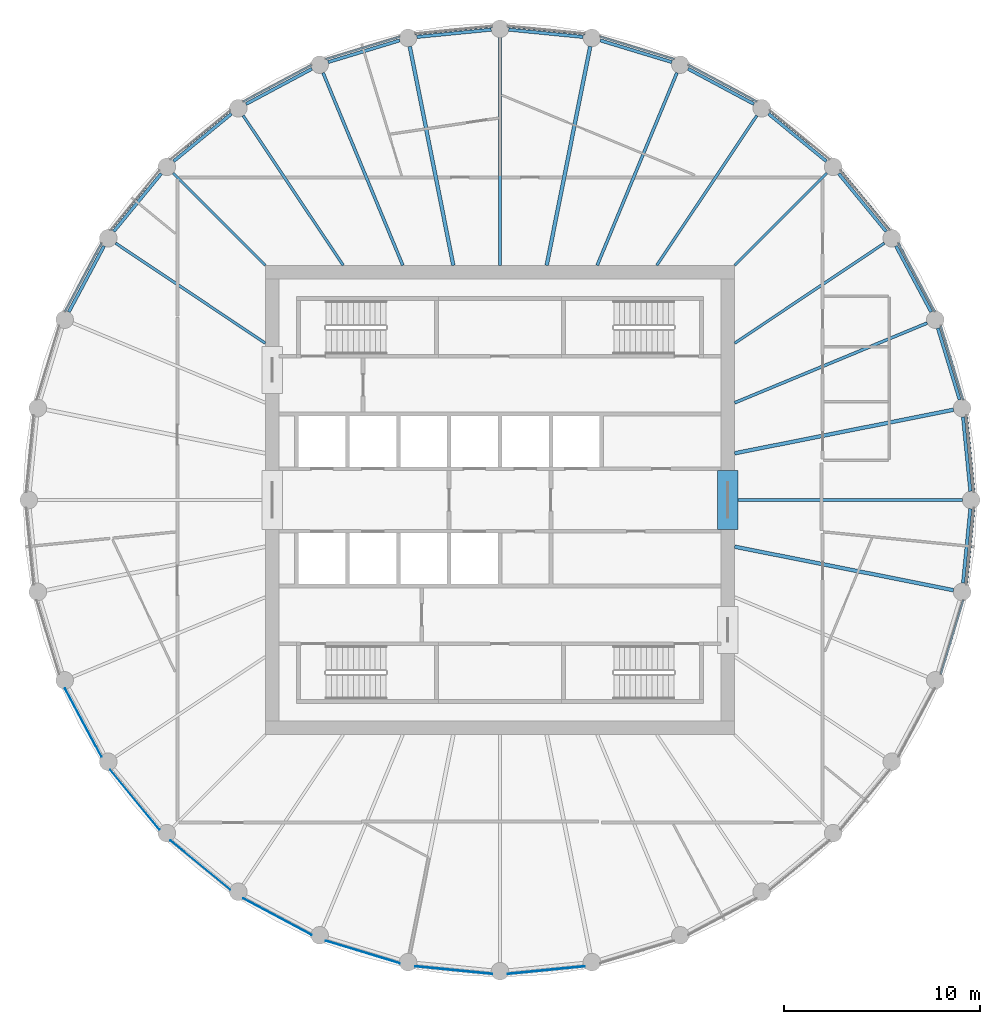
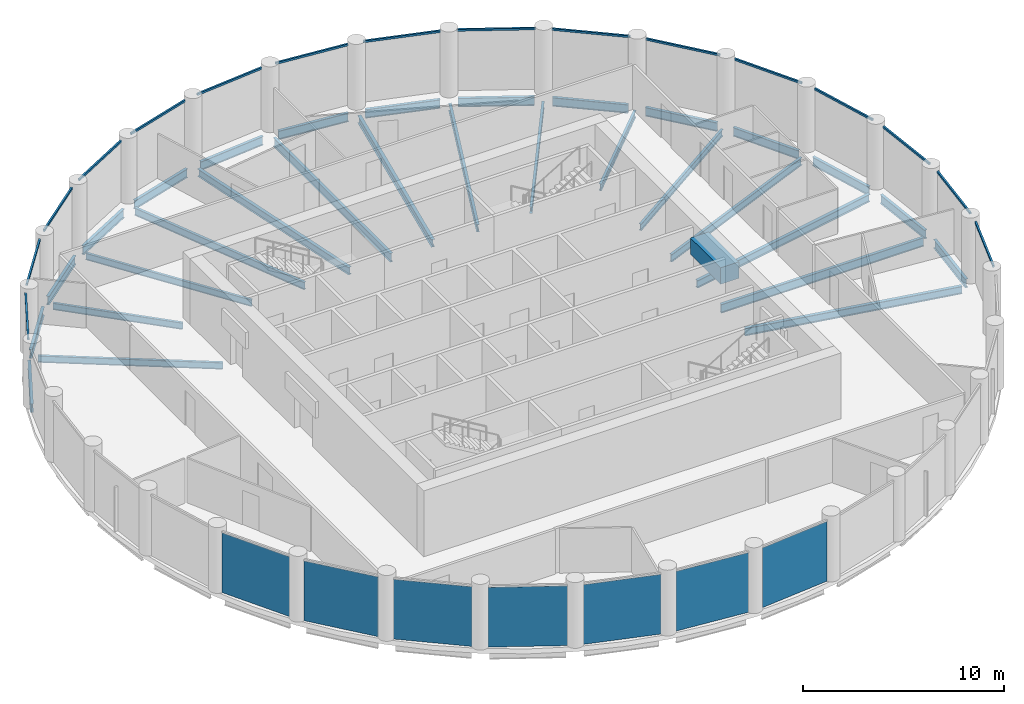
# One storey, part 2 of 7: 31 beams, 16 members, 7 plates, 23 elements without a shape of their own.
"""IFC4 building model written with IfcOpenShell, lengths in metres."""

from ifc_helpers import new_model, si_unit, direction, frame, origin, origin_2d, place, context, subcontext, project, spatial, rectangle, i_section, extrude, material, layer, layer_set, material_profile, profile_set, type_object, element, aggregate, save


model = new_model("IFC4")

# Units and contexts
model_context = context("Model", 3, precision=1e-05, world=origin(), true_north=direction((0.0, 1.0)))
body_context = subcontext(model_context, "Body", "Model", "MODEL_VIEW")
ifc_project = project(units=[si_unit("LENGTHUNIT", "METRE"), si_unit("AREAUNIT", "SQUARE_METRE"), si_unit("VOLUMEUNIT", "CUBIC_METRE"), si_unit("PLANEANGLEUNIT", "RADIAN"), si_unit("MASSUNIT", "GRAM", prefix="KILO")], contexts=[model_context])

# Site, building, storey
site_placement = place(None, origin())
site = spatial("IfcSite", under=ifc_project, at=site_placement, CompositionType="ELEMENT")
building_placement = place(site_placement, origin())
building = spatial("IfcBuilding", under=site, at=building_placement, Name="Corvane Civic Tower", CompositionType="ELEMENT")
storey_placement = place(building_placement, frame((0.0, 0.0, 283.0)))
storey = spatial("IfcBuildingStorey", under=building, at=storey_placement, Name="L67", CompositionType="ELEMENT", Elevation=283.0)

# Beams
ifc_material_1 = material(Name="Concrete C40/50", Category="concrete")
ifc_material_profile_1 = material_profile(ifc_material_1, rectangle(XDim=1.050048828125, YDim=1.0, at=origin_2d()), Name="COUPLING BEAM 1050X1000")
ifc_profile_set_1 = profile_set([ifc_material_profile_1], Name="Concrete C40/50")
beam_type_1 = type_object("IfcBeamType", Name="COUPLING BEAM COUPLING BEAM 1050X1000", PredefinedType="BEAM", material=ifc_profile_set_1)
beam_1_placement = place(storey_placement, frame((11.64990234375, -1.5, 2.60009765625), z_axis=(0.0, 1.0, 0.0), x_axis=(-1.0, 0.0, 0.0)))
element("IfcBeam", 1, at=beam_1_placement, inside=storey, type_object=beam_type_1, Name="BM-L67-cpl-CW-LE", PredefinedType="BEAM", context=body_context, shape_type="SweptSolid", body=[
    extrude(rectangle(XDim=1.050048828125, YDim=1.0, at=origin_2d()), origin(), (0.0, 0.0, 1.0), 3.0),
])
ifc_material_2 = material(Name="Steel ASTM A992 Gr 50", Category="steel")
ifc_material_profile_2 = material_profile(ifc_material_2, i_section(OverallWidth=0.165771484375, OverallDepth=0.5283203125, WebThickness=0.009765625, FlangeThickness=0.013671875, at=origin_2d()), Name="W21X50")
ifc_profile_set_2 = profile_set([ifc_material_profile_2], Name="Steel ASTM A992 Gr 50")
beam_type_2 = type_object("IfcBeamType", Name="EDGE BEAM W21X50", PredefinedType="BEAM", material=ifc_profile_set_2)
for number, where, z_axis, x_axis, name in (
    (2, (0.44775390625, 24.055908203125, -0.564208984375), (0.995187721162, -0.097986732007, 0.0), (0.097986732007, 0.995187721162, 0.0), "BM-L67-E01"),
    (3, (5.13232421875, 23.50634765625, -0.564208984375), (0.95692555902, -0.290333385085, 0.0), (0.290333385085, 0.95692555902, 0.0), "BM-L67-E02"),
):
    element("IfcBeam", number, at=place(storey_placement, frame(where, z_axis=z_axis, x_axis=x_axis)), inside=storey, type_object=beam_type_2, Name=name, PredefinedType="BEAM", context=body_context, shape_type="SweptSolid", body=[
        extrude(i_section(OverallWidth=0.165771484375, OverallDepth=0.5283203125, WebThickness=0.009765625, FlangeThickness=0.013671875, at=origin_2d()), origin(), (0.0, 0.0, 1.0), 3.824462890625),
    ])
beam_2_placement = place(storey_placement, frame((9.61962890625, 22.05322265625, -0.564208984375), z_axis=(0.881914279413, -0.471409804487, 0.0), x_axis=(0.471409804487, 0.881914279413, 0.0)))
element("IfcBeam", 4, at=beam_2_placement, inside=storey, type_object=beam_type_2, Name="BM-L67-E03", PredefinedType="BEAM", context=body_context, shape_type="SweptSolid", body=[
    extrude(i_section(OverallWidth=0.165771484375, OverallDepth=0.5283203125, WebThickness=0.009765625, FlangeThickness=0.013671875, at=origin_2d()), origin(), (0.0, 0.0, 1.0), 3.82421875),
])
for number, where, z_axis, x_axis, name in (
    (5, (13.737060546875, 19.7529296875, -0.564208984375), (0.772997914867, -0.634408562057, 0.0), (0.634408562057, 0.772997914867, 0.0), "BM-L67-E04"),
    (6, (17.32666015625, 16.693359375, -0.564208984375), (0.634408562057, -0.772997914867, 0.0), (0.772997914867, 0.634408562057, 0.0), "BM-L67-E05"),
):
    element("IfcBeam", number, at=place(storey_placement, frame(where, z_axis=z_axis, x_axis=x_axis)), inside=storey, type_object=beam_type_2, Name=name, PredefinedType="BEAM", context=body_context, shape_type="SweptSolid", body=[
        extrude(i_section(OverallWidth=0.165771484375, OverallDepth=0.5283203125, WebThickness=0.009765625, FlangeThickness=0.013671875, at=origin_2d()), origin(), (0.0, 0.0, 1.0), 3.824462890625),
    ])
beam_3_placement = place(storey_placement, frame((20.25048828125, 12.9921875, -0.564208984375), z_axis=(0.471409804487, -0.881914279413, 0.0), x_axis=(0.881914279413, 0.471409804487, 0.0)))
element("IfcBeam", 7, at=beam_3_placement, inside=storey, type_object=beam_type_2, Name="BM-L67-E06", PredefinedType="BEAM", context=body_context, shape_type="SweptSolid", body=[
    extrude(i_section(OverallWidth=0.165771484375, OverallDepth=0.5283203125, WebThickness=0.009765625, FlangeThickness=0.013671875, at=origin_2d()), origin(), (0.0, 0.0, 1.0), 3.82421875),
])
for number, where, z_axis, x_axis, name in (
    (8, (22.39599609375, 8.7919921875, -0.564208984375), (0.290333385085, -0.95692555902, 0.0), (0.95692555902, 0.290333385085, 0.0), "BM-L67-E07"),
    (9, (23.68115234375, 4.25390625, -0.564208984375), (0.097986732007, -0.995187721162, 0.0), (0.995187721162, 0.097986732007, 0.0), "BM-L67-E08"),
    (10, (24.055908203125, -0.44775390625, -0.564208984375), (-0.097986732007, -0.995187721162, 0.0), (0.995187721162, -0.097986732007, 0.0), "BM-L67-E09"),
):
    element("IfcBeam", number, at=place(storey_placement, frame(where, z_axis=z_axis, x_axis=x_axis)), inside=storey, type_object=beam_type_2, Name=name, PredefinedType="BEAM", context=body_context, shape_type="SweptSolid", body=[
        extrude(i_section(OverallWidth=0.165771484375, OverallDepth=0.5283203125, WebThickness=0.009765625, FlangeThickness=0.013671875, at=origin_2d()), origin(), (0.0, 0.0, 1.0), 3.824462890625),
    ])
beam_4_placement = place(storey_placement, frame((-22.05322265625, 9.61962890625, -0.564208984375), z_axis=(0.471409804487, 0.881914279413, 0.0), x_axis=(-0.881914279413, 0.471409804487, 0.0)))
element("IfcBeam", 11, at=beam_4_placement, inside=storey, type_object=beam_type_2, Name="BM-L67-E27", PredefinedType="BEAM", context=body_context, shape_type="SweptSolid", body=[
    extrude(i_section(OverallWidth=0.165771484375, OverallDepth=0.5283203125, WebThickness=0.009765625, FlangeThickness=0.013671875, at=origin_2d()), origin(), (0.0, 0.0, 1.0), 3.82421875),
])
for number, where, z_axis, x_axis, name in (
    (12, (-19.7529296875, 13.737060546875, -0.564208984375), (0.634408562057, 0.772997914867, 0.0), (-0.772997914867, 0.634408562057, 0.0), "BM-L67-E28"),
    (13, (-16.693359375, 17.32666015625, -0.564208984375), (0.772997914867, 0.634408562057, 0.0), (-0.634408562057, 0.772997914867, 0.0), "BM-L67-E29"),
):
    element("IfcBeam", number, at=place(storey_placement, frame(where, z_axis=z_axis, x_axis=x_axis)), inside=storey, type_object=beam_type_2, Name=name, PredefinedType="BEAM", context=body_context, shape_type="SweptSolid", body=[
        extrude(i_section(OverallWidth=0.165771484375, OverallDepth=0.5283203125, WebThickness=0.009765625, FlangeThickness=0.013671875, at=origin_2d()), origin(), (0.0, 0.0, 1.0), 3.824462890625),
    ])
beam_5_placement = place(storey_placement, frame((-12.9921875, 20.25048828125, -0.564208984375), z_axis=(0.881914279413, 0.471409804487, 0.0), x_axis=(-0.471409804487, 0.881914279413, 0.0)))
element("IfcBeam", 14, at=beam_5_placement, inside=storey, type_object=beam_type_2, Name="BM-L67-E30", PredefinedType="BEAM", context=body_context, shape_type="SweptSolid", body=[
    extrude(i_section(OverallWidth=0.165771484375, OverallDepth=0.5283203125, WebThickness=0.009765625, FlangeThickness=0.013671875, at=origin_2d()), origin(), (0.0, 0.0, 1.0), 3.82421875),
])
for number, where, z_axis, x_axis, name in (
    (15, (-8.7919921875, 22.39599609375, -0.564208984375), (0.95692555902, 0.290333385085, 0.0), (-0.290333385085, 0.95692555902, 0.0), "BM-L67-E31"),
    (16, (-4.25390625, 23.68115234375, -0.564208984375), (0.995187721162, 0.097986732007, 0.0), (-0.097986732007, 0.995187721162, 0.0), "BM-L67-E32"),
):
    element("IfcBeam", number, at=place(storey_placement, frame(where, z_axis=z_axis, x_axis=x_axis)), inside=storey, type_object=beam_type_2, Name=name, PredefinedType="BEAM", context=body_context, shape_type="SweptSolid", body=[
        extrude(i_section(OverallWidth=0.165771484375, OverallDepth=0.5283203125, WebThickness=0.009765625, FlangeThickness=0.013671875, at=origin_2d()), origin(), (0.0, 0.0, 1.0), 3.824462890625),
    ])
ifc_material_3 = material(Name="Steel ASTM A992 Gr 50", Category="steel")
ifc_material_profile_3 = material_profile(ifc_material_3, i_section(OverallWidth=0.140380859375, OverallDepth=0.40380859375, WebThickness=0.007080078125, FlangeThickness=0.01123046875, at=origin_2d()), Name="W16X31")
ifc_profile_set_3 = profile_set([ifc_material_profile_3], Name="Steel ASTM A992 Gr 50")
beam_type_3 = type_object("IfcBeamType", Name="FLOOR GIRDER W16X31", PredefinedType="BEAM", material=ifc_profile_set_3)
beam_6_placement = place(storey_placement, frame((8.01806640625, 12.0, -0.501953125), z_axis=(0.555567816355, 0.831471227061, 0.0), x_axis=(-0.831471227061, 0.555567816355, 0.0)))
element("IfcBeam", 17, at=beam_6_placement, inside=storey, type_object=beam_type_3, Name="BM-L67-G04", PredefinedType="BEAM", context=body_context, shape_type="SweptSolid", body=[
    extrude(i_section(OverallWidth=0.140380859375, OverallDepth=0.40380859375, WebThickness=0.007080078125, FlangeThickness=0.01123046875, at=origin_2d()), origin(), (0.0, 0.0, 1.0), 9.2177734375),
])
beam_7_placement = place(storey_placement, frame((12.0, 12.0, -0.501953125), z_axis=(0.707106781187, 0.707106781187, 0.0), x_axis=(-0.707106781187, 0.707106781187, 0.0)))
element("IfcBeam", 18, at=beam_7_placement, inside=storey, type_object=beam_type_3, Name="BM-L67-G05", PredefinedType="BEAM", context=body_context, shape_type="SweptSolid", body=[
    extrude(i_section(OverallWidth=0.140380859375, OverallDepth=0.40380859375, WebThickness=0.007080078125, FlangeThickness=0.01123046875, at=origin_2d()), origin(), (0.0, 0.0, 1.0), 6.679443359375),
])
for number, where, z_axis, x_axis, name in (
    (19, (12.0, 8.01806640625, -0.501953125), (0.831471227061, 0.555567816355, 0.0), (-0.555567816355, 0.831471227061, 0.0), "BM-L67-G06"),
    (20, (-12.0, 8.01806640625, -0.501953125), (-0.831471227061, 0.555567816355, 0.0), (-0.555567816355, -0.831471227061, 0.0), "BM-L67-G28"),
):
    element("IfcBeam", number, at=place(storey_placement, frame(where, z_axis=z_axis, x_axis=x_axis)), inside=storey, type_object=beam_type_3, Name=name, PredefinedType="BEAM", context=body_context, shape_type="SweptSolid", body=[
        extrude(i_section(OverallWidth=0.140380859375, OverallDepth=0.40380859375, WebThickness=0.007080078125, FlangeThickness=0.01123046875, at=origin_2d()), origin(), (0.0, 0.0, 1.0), 9.2177734375),
    ])
beam_8_placement = place(storey_placement, frame((-12.0, 12.0, -0.501953125), z_axis=(-0.707106781187, 0.707106781187, 0.0), x_axis=(-0.707106781187, -0.707106781187, 0.0)))
element("IfcBeam", 21, at=beam_8_placement, inside=storey, type_object=beam_type_3, Name="BM-L67-G29", PredefinedType="BEAM", context=body_context, shape_type="SweptSolid", body=[
    extrude(i_section(OverallWidth=0.140380859375, OverallDepth=0.40380859375, WebThickness=0.007080078125, FlangeThickness=0.01123046875, at=origin_2d()), origin(), (0.0, 0.0, 1.0), 6.679443359375),
])
beam_9_placement = place(storey_placement, frame((-8.01806640625, 12.0, -0.501953125), z_axis=(-0.555567816355, 0.831471227061, 0.0), x_axis=(-0.831471227061, -0.555567816355, 0.0)))
element("IfcBeam", 22, at=beam_9_placement, inside=storey, type_object=beam_type_3, Name="BM-L67-G30", PredefinedType="BEAM", context=body_context, shape_type="SweptSolid", body=[
    extrude(i_section(OverallWidth=0.140380859375, OverallDepth=0.40380859375, WebThickness=0.007080078125, FlangeThickness=0.01123046875, at=origin_2d()), origin(), (0.0, 0.0, 1.0), 9.2177734375),
])
ifc_material_4 = material(Name="Steel ASTM A992 Gr 50", Category="steel")
ifc_material_profile_4 = material_profile(ifc_material_4, i_section(OverallWidth=0.15283203125, OverallDepth=0.45458984375, WebThickness=0.008056640625, FlangeThickness=0.013427734375, at=origin_2d()), Name="W18X40")
ifc_profile_set_4 = profile_set([ifc_material_profile_4], Name="Steel ASTM A992 Gr 50")
beam_type_4 = type_object("IfcBeamType", Name="FLOOR GIRDER W18X40", PredefinedType="BEAM", material=ifc_profile_set_4)
for number, where, z_axis, x_axis, name in (
    (23, (4.970458984375, 12.0, -0.52734375), (0.382694257331, 0.923875048589, 0.0), (-0.923875048589, 0.382694257331, 0.0), "BM-L67-G03"),
    (24, (12.0, 4.970458984375, -0.52734375), (0.923875048589, 0.382694257331, 0.0), (-0.382694257331, 0.923875048589, 0.0), "BM-L67-G07"),
    (25, (-4.970458984375, 12.0, -0.52734375), (-0.382694257331, 0.923875048589, 0.0), (-0.923875048589, -0.382694257331, 0.0), "BM-L67-G31"),
):
    element("IfcBeam", number, at=place(storey_placement, frame(where, z_axis=z_axis, x_axis=x_axis)), inside=storey, type_object=beam_type_4, Name=name, PredefinedType="BEAM", context=body_context, shape_type="SweptSolid", body=[
        extrude(i_section(OverallWidth=0.15283203125, OverallDepth=0.45458984375, WebThickness=0.008056640625, FlangeThickness=0.013427734375, at=origin_2d()), origin(), (0.0, 0.0, 1.0), 10.661376953125),
    ])
ifc_material_5 = material(Name="Steel ASTM A992 Gr 50", Category="steel")
ifc_material_profile_5 = material_profile(ifc_material_5, i_section(OverallWidth=0.1904296875, OverallDepth=0.457275390625, WebThickness=0.009033203125, FlangeThickness=0.014404296875, at=origin_2d()), Name="W18X50")
ifc_profile_set_5 = profile_set([ifc_material_profile_5], Name="Steel ASTM A992 Gr 50")
beam_type_5 = type_object("IfcBeamType", Name="FLOOR GIRDER W18X50", PredefinedType="BEAM", material=ifc_profile_set_5)
for number, where, z_axis, x_axis, name in (
    (26, (2.386962890625, 12.0, -0.528564453125), (0.195079532402, 0.980787426529, 0.0), (-0.980787426529, 0.195079532402, 0.0), "BM-L67-G02"),
    (27, (12.0, 2.386962890625, -0.528564453125), (0.980787426529, 0.195079532402, 0.0), (-0.195079532402, 0.980787426529, 0.0), "BM-L67-G08"),
    (28, (12.0, -2.386962890625, -0.528564453125), (0.980787426529, -0.195079532402, 0.0), (0.195079532402, 0.980787426529, 0.0), "BM-L67-G10"),
    (29, (-2.386962890625, 12.0, -0.528564453125), (-0.195079532402, 0.980787426529, 0.0), (-0.980787426529, -0.195079532402, 0.0), "BM-L67-G32"),
):
    element("IfcBeam", number, at=place(storey_placement, frame(where, z_axis=z_axis, x_axis=x_axis)), inside=storey, type_object=beam_type_5, Name=name, PredefinedType="BEAM", context=body_context, shape_type="SweptSolid", body=[
        extrude(i_section(OverallWidth=0.1904296875, OverallDepth=0.457275390625, WebThickness=0.009033203125, FlangeThickness=0.014404296875, at=origin_2d()), origin(), (0.0, 0.0, 1.0), 11.414794921875),
    ])
ifc_material_6 = material(Name="Steel ASTM A992 Gr 50", Category="steel")
ifc_material_profile_6 = material_profile(ifc_material_6, i_section(OverallWidth=0.165771484375, OverallDepth=0.5283203125, WebThickness=0.009765625, FlangeThickness=0.013671875, at=origin_2d()), Name="W21X50")
ifc_profile_set_6 = profile_set([ifc_material_profile_6], Name="Steel ASTM A992 Gr 50")
beam_type_6 = type_object("IfcBeamType", Name="FLOOR GIRDER W21X50", PredefinedType="BEAM", material=ifc_profile_set_6)
for number, where, z_axis, x_axis, name in (
    (30, (0.0, 12.0, -0.564208984375), (0.0, 1.0, 0.0), (-1.0, 0.0, 0.0), "BM-L67-G01"),
    (31, (12.0, 0.0, -0.564208984375), (1.0, 0.0, 0.0), (0.0, 1.0, 0.0), "BM-L67-G09"),
):
    element("IfcBeam", number, at=place(storey_placement, frame(where, z_axis=z_axis, x_axis=x_axis)), inside=storey, type_object=beam_type_6, Name=name, PredefinedType="BEAM", context=body_context, shape_type="SweptSolid", body=[
        extrude(i_section(OverallWidth=0.165771484375, OverallDepth=0.5283203125, WebThickness=0.009765625, FlangeThickness=0.013671875, at=origin_2d()), origin(), (0.0, 0.0, 1.0), 11.64990234375),
    ])

# Curtain wall, member
ifc_material_7 = material(Name="Anodised aluminium bronze", Category="aluminium")
curtain_wall_type = type_object("IfcCurtainWallType", Name="TOWER CW-T3 STICK CURTAIN WALL", PredefinedType="NOTDEFINED", material=ifc_material_7)
curtain_wall_1_placement = place(storey_placement, origin())
curtain_wall_1 = element("IfcCurtainWall", 32, at=curtain_wall_1_placement, inside=storey, type_object=curtain_wall_type, Name="Curtain wall CW-T3 L67 bay 01", PredefinedType="NOTDEFINED")
ifc_material_8 = material(Name="Anodised aluminium bronze", Category="aluminium")
ifc_material_profile_7 = material_profile(ifc_material_8, rectangle(XDim=0.10009765625, YDim=0.1201171875, at=origin_2d()), Name="TOWER CW-T3 TRANSOM 100x120")
ifc_profile_set_7 = profile_set([ifc_material_profile_7], Name="Anodised aluminium bronze")
member_type = type_object("IfcMemberType", Name="TOWER CW-T3 TRANSOM 100x120", PredefinedType="USERDEFINED", material=ifc_profile_set_7)
member_1_placement = place(storey_placement, frame((0.3984375, 24.24072265625, 3.68994140625), z_axis=(0.995186866683, -0.097995409999, 0.0), x_axis=(0.097995409999, 0.995186866683, 0.0)))
member_1 = element("IfcMember", 33, at=member_1_placement, type_object=member_type, Name="Transom CW-T3 L67 01.1", ObjectType="TRANSOM", PredefinedType="USERDEFINED", context=body_context, shape_type="SweptSolid", body=[
    extrude(rectangle(XDim=0.10009765625, YDim=0.1201171875, at=origin_2d()), origin(), (0.0, 0.0, 1.0), 3.958740234375),
])
aggregate(curtain_wall_1, [member_1])

curtain_wall_2_placement = place(storey_placement, origin())
curtain_wall_2 = element("IfcCurtainWall", 34, at=curtain_wall_2_placement, inside=storey, type_object=curtain_wall_type, Name="Curtain wall CW-T3 L67 bay 02", PredefinedType="NOTDEFINED")
member_2_placement = place(storey_placement, frame((5.119873046875, 23.697265625, 3.68994140625), z_axis=(0.956946054205, -0.290265825309, 0.0), x_axis=(0.290265825309, 0.956946054205, 0.0)))
member_2 = element("IfcMember", 35, at=member_2_placement, type_object=member_type, Name="Transom CW-T3 L67 02.1", ObjectType="TRANSOM", PredefinedType="USERDEFINED", context=body_context, shape_type="SweptSolid", body=[
    extrude(rectangle(XDim=0.10009765625, YDim=0.1201171875, at=origin_2d()), origin(), (0.0, 0.0, 1.0), 3.958984375),
])
aggregate(curtain_wall_2, [member_2])

curtain_wall_3_placement = place(storey_placement, origin())
curtain_wall_3 = element("IfcCurtainWall", 36, at=curtain_wall_3_placement, inside=storey, type_object=curtain_wall_type, Name="Curtain wall CW-T3 L67 bay 03", PredefinedType="NOTDEFINED")
member_3_placement = place(storey_placement, frame((9.644775390625, 22.2431640625, 3.68994140625), z_axis=(0.881883040816, -0.471468241052, 0.0), x_axis=(0.471468241052, 0.881883040816, 0.0)))
member_3 = element("IfcMember", 37, at=member_3_placement, type_object=member_type, Name="Transom CW-T3 L67 03.1", ObjectType="TRANSOM", PredefinedType="USERDEFINED", context=body_context, shape_type="SweptSolid", body=[
    extrude(rectangle(XDim=0.10009765625, YDim=0.1201171875, at=origin_2d()), origin(), (0.0, 0.0, 1.0), 3.958740234375),
])
aggregate(curtain_wall_3, [member_3])

curtain_wall_4_placement = place(storey_placement, origin())
curtain_wall_4 = element("IfcCurtainWall", 38, at=curtain_wall_4_placement, inside=storey, type_object=curtain_wall_type, Name="Curtain wall CW-T3 L67 bay 04", PredefinedType="NOTDEFINED")
member_4_placement = place(storey_placement, frame((13.798828125, 19.93408203125, 3.68994140625), z_axis=(0.772991943051, -0.634415838373, 0.0), x_axis=(0.634415838373, 0.772991943051, 0.0)))
member_4 = element("IfcMember", 39, at=member_4_placement, type_object=member_type, Name="Transom CW-T3 L67 04.1", ObjectType="TRANSOM", PredefinedType="USERDEFINED", context=body_context, shape_type="SweptSolid", body=[
    extrude(rectangle(XDim=0.10009765625, YDim=0.1201171875, at=origin_2d()), origin(), (0.0, 0.0, 1.0), 3.958740234375),
])
aggregate(curtain_wall_4, [member_4])

curtain_wall_5_placement = place(storey_placement, origin())
curtain_wall_5 = element("IfcCurtainWall", 40, at=curtain_wall_5_placement, inside=storey, type_object=curtain_wall_type, Name="Curtain wall CW-T3 L67 bay 05", PredefinedType="NOTDEFINED")
member_5_placement = place(storey_placement, frame((17.422607421875, 16.85888671875, 3.68994140625), z_axis=(0.634415838373, -0.772991943051, 0.0), x_axis=(0.772991943051, 0.634415838373, 0.0)))
member_5 = element("IfcMember", 41, at=member_5_placement, type_object=member_type, Name="Transom CW-T3 L67 05.1", ObjectType="TRANSOM", PredefinedType="USERDEFINED", context=body_context, shape_type="SweptSolid", body=[
    extrude(rectangle(XDim=0.10009765625, YDim=0.1201171875, at=origin_2d()), origin(), (0.0, 0.0, 1.0), 3.958740234375),
])
aggregate(curtain_wall_5, [member_5])

curtain_wall_6_placement = place(storey_placement, origin())
curtain_wall_6 = element("IfcCurtainWall", 42, at=curtain_wall_6_placement, inside=storey, type_object=curtain_wall_type, Name="Curtain wall CW-T3 L67 bay 06", PredefinedType="NOTDEFINED")
member_6_placement = place(storey_placement, frame((20.376708984375, 13.135986328125, 3.68994140625), z_axis=(0.471468241052, -0.881883040816, 0.0), x_axis=(0.881883040816, 0.471468241052, 0.0)))
member_6 = element("IfcMember", 43, at=member_6_placement, type_object=member_type, Name="Transom CW-T3 L67 06.1", ObjectType="TRANSOM", PredefinedType="USERDEFINED", context=body_context, shape_type="SweptSolid", body=[
    extrude(rectangle(XDim=0.10009765625, YDim=0.1201171875, at=origin_2d()), origin(), (0.0, 0.0, 1.0), 3.958740234375),
])
aggregate(curtain_wall_6, [member_6])

curtain_wall_7_placement = place(storey_placement, origin())
curtain_wall_7 = element("IfcCurtainWall", 44, at=curtain_wall_7_placement, inside=storey, type_object=curtain_wall_type, Name="Curtain wall CW-T3 L67 bay 07", PredefinedType="NOTDEFINED")
member_7_placement = place(storey_placement, frame((22.548095703125, 8.908447265625, 3.68994140625), z_axis=(0.290265825309, -0.956946054205, 0.0), x_axis=(0.956946054205, 0.290265825309, 0.0)))
member_7 = element("IfcMember", 45, at=member_7_placement, type_object=member_type, Name="Transom CW-T3 L67 07.1", ObjectType="TRANSOM", PredefinedType="USERDEFINED", context=body_context, shape_type="SweptSolid", body=[
    extrude(rectangle(XDim=0.10009765625, YDim=0.1201171875, at=origin_2d()), origin(), (0.0, 0.0, 1.0), 3.958984375),
])
aggregate(curtain_wall_7, [member_7])

curtain_wall_8_placement = place(storey_placement, origin())
curtain_wall_8 = element("IfcCurtainWall", 46, at=curtain_wall_8_placement, inside=storey, type_object=curtain_wall_type, Name="Curtain wall CW-T3 L67 bay 08", PredefinedType="NOTDEFINED")
member_8_placement = place(storey_placement, frame((23.852783203125, 4.338134765625, 3.68994140625), z_axis=(0.097995409999, -0.995186866683, 0.0), x_axis=(0.995186866683, 0.097995409999, 0.0)))
member_8 = element("IfcMember", 47, at=member_8_placement, type_object=member_type, Name="Transom CW-T3 L67 08.1", ObjectType="TRANSOM", PredefinedType="USERDEFINED", context=body_context, shape_type="SweptSolid", body=[
    extrude(rectangle(XDim=0.10009765625, YDim=0.1201171875, at=origin_2d()), origin(), (0.0, 0.0, 1.0), 3.958740234375),
])
aggregate(curtain_wall_8, [member_8])

curtain_wall_9_placement = place(storey_placement, origin())
curtain_wall_9 = element("IfcCurtainWall", 48, at=curtain_wall_9_placement, inside=storey, type_object=curtain_wall_type, Name="Curtain wall CW-T3 L67 bay 09", PredefinedType="NOTDEFINED")
member_9_placement = place(storey_placement, frame((24.24072265625, -0.3984375, 3.68994140625), z_axis=(-0.097995409999, -0.995186866683, 0.0), x_axis=(0.995186866683, -0.097995409999, 0.0)))
member_9 = element("IfcMember", 49, at=member_9_placement, type_object=member_type, Name="Transom CW-T3 L67 09.1", ObjectType="TRANSOM", PredefinedType="USERDEFINED", context=body_context, shape_type="SweptSolid", body=[
    extrude(rectangle(XDim=0.10009765625, YDim=0.1201171875, at=origin_2d()), origin(), (0.0, 0.0, 1.0), 3.958740234375),
])
aggregate(curtain_wall_9, [member_9])

curtain_wall_10_placement = place(storey_placement, origin())
curtain_wall_10 = element("IfcCurtainWall", 50, at=curtain_wall_10_placement, inside=storey, type_object=curtain_wall_type, Name="Curtain wall CW-T3 L67 bay 10", PredefinedType="NOTDEFINED")
member_10_placement = place(storey_placement, frame((23.697265625, -5.119873046875, 3.68994140625), z_axis=(-0.290265825309, -0.956946054205, 0.0), x_axis=(0.956946054205, -0.290265825309, 0.0)))
member_10 = element("IfcMember", 51, at=member_10_placement, type_object=member_type, Name="Transom CW-T3 L67 10.1", ObjectType="TRANSOM", PredefinedType="USERDEFINED", context=body_context, shape_type="SweptSolid", body=[
    extrude(rectangle(XDim=0.10009765625, YDim=0.1201171875, at=origin_2d()), origin(), (0.0, 0.0, 1.0), 3.958984375),
])
aggregate(curtain_wall_10, [member_10])

curtain_wall_11_placement = place(storey_placement, origin())
curtain_wall_11 = element("IfcCurtainWall", 52, at=curtain_wall_11_placement, inside=storey, type_object=curtain_wall_type, Name="Curtain wall CW-T3 L67 bay 27", PredefinedType="NOTDEFINED")
member_11_placement = place(storey_placement, frame((-22.2431640625, 9.644775390625, 3.68994140625), z_axis=(0.471468241052, 0.881883040816, 0.0), x_axis=(-0.881883040816, 0.471468241052, 0.0)))
member_11 = element("IfcMember", 53, at=member_11_placement, type_object=member_type, Name="Transom CW-T3 L67 27.1", ObjectType="TRANSOM", PredefinedType="USERDEFINED", context=body_context, shape_type="SweptSolid", body=[
    extrude(rectangle(XDim=0.10009765625, YDim=0.1201171875, at=origin_2d()), origin(), (0.0, 0.0, 1.0), 3.958740234375),
])
aggregate(curtain_wall_11, [member_11])

curtain_wall_12_placement = place(storey_placement, origin())
curtain_wall_12 = element("IfcCurtainWall", 54, at=curtain_wall_12_placement, inside=storey, type_object=curtain_wall_type, Name="Curtain wall CW-T3 L67 bay 28", PredefinedType="NOTDEFINED")
member_12_placement = place(storey_placement, frame((-19.93408203125, 13.798828125, 3.68994140625), z_axis=(0.634415838373, 0.772991943051, 0.0), x_axis=(-0.772991943051, 0.634415838373, 0.0)))
member_12 = element("IfcMember", 55, at=member_12_placement, type_object=member_type, Name="Transom CW-T3 L67 28.1", ObjectType="TRANSOM", PredefinedType="USERDEFINED", context=body_context, shape_type="SweptSolid", body=[
    extrude(rectangle(XDim=0.10009765625, YDim=0.1201171875, at=origin_2d()), origin(), (0.0, 0.0, 1.0), 3.958740234375),
])
aggregate(curtain_wall_12, [member_12])

curtain_wall_13_placement = place(storey_placement, origin())
curtain_wall_13 = element("IfcCurtainWall", 56, at=curtain_wall_13_placement, inside=storey, type_object=curtain_wall_type, Name="Curtain wall CW-T3 L67 bay 29", PredefinedType="NOTDEFINED")
member_13_placement = place(storey_placement, frame((-16.85888671875, 17.422607421875, 3.68994140625), z_axis=(0.772991943051, 0.634415838373, 0.0), x_axis=(-0.634415838373, 0.772991943051, 0.0)))
member_13 = element("IfcMember", 57, at=member_13_placement, type_object=member_type, Name="Transom CW-T3 L67 29.1", ObjectType="TRANSOM", PredefinedType="USERDEFINED", context=body_context, shape_type="SweptSolid", body=[
    extrude(rectangle(XDim=0.10009765625, YDim=0.1201171875, at=origin_2d()), origin(), (0.0, 0.0, 1.0), 3.958740234375),
])
aggregate(curtain_wall_13, [member_13])

curtain_wall_14_placement = place(storey_placement, origin())
curtain_wall_14 = element("IfcCurtainWall", 58, at=curtain_wall_14_placement, inside=storey, type_object=curtain_wall_type, Name="Curtain wall CW-T3 L67 bay 30", PredefinedType="NOTDEFINED")
member_14_placement = place(storey_placement, frame((-13.135986328125, 20.376708984375, 3.68994140625), z_axis=(0.881883040816, 0.471468241052, 0.0), x_axis=(-0.471468241052, 0.881883040816, 0.0)))
member_14 = element("IfcMember", 59, at=member_14_placement, type_object=member_type, Name="Transom CW-T3 L67 30.1", ObjectType="TRANSOM", PredefinedType="USERDEFINED", context=body_context, shape_type="SweptSolid", body=[
    extrude(rectangle(XDim=0.10009765625, YDim=0.1201171875, at=origin_2d()), origin(), (0.0, 0.0, 1.0), 3.958740234375),
])
aggregate(curtain_wall_14, [member_14])

curtain_wall_15_placement = place(storey_placement, origin())
curtain_wall_15 = element("IfcCurtainWall", 60, at=curtain_wall_15_placement, inside=storey, type_object=curtain_wall_type, Name="Curtain wall CW-T3 L67 bay 31", PredefinedType="NOTDEFINED")
member_15_placement = place(storey_placement, frame((-8.908447265625, 22.548095703125, 3.68994140625), z_axis=(0.956946054205, 0.290265825309, 0.0), x_axis=(-0.290265825309, 0.956946054205, 0.0)))
member_15 = element("IfcMember", 61, at=member_15_placement, type_object=member_type, Name="Transom CW-T3 L67 31.1", ObjectType="TRANSOM", PredefinedType="USERDEFINED", context=body_context, shape_type="SweptSolid", body=[
    extrude(rectangle(XDim=0.10009765625, YDim=0.1201171875, at=origin_2d()), origin(), (0.0, 0.0, 1.0), 3.958984375),
])
aggregate(curtain_wall_15, [member_15])

curtain_wall_16_placement = place(storey_placement, origin())
curtain_wall_16 = element("IfcCurtainWall", 62, at=curtain_wall_16_placement, inside=storey, type_object=curtain_wall_type, Name="Curtain wall CW-T3 L67 bay 32", PredefinedType="NOTDEFINED")
member_16_placement = place(storey_placement, frame((-4.338134765625, 23.852783203125, 3.68994140625), z_axis=(0.995186866683, 0.097995409999, 0.0), x_axis=(-0.097995409999, 0.995186866683, 0.0)))
member_16 = element("IfcMember", 63, at=member_16_placement, type_object=member_type, Name="Transom CW-T3 L67 32.1", ObjectType="TRANSOM", PredefinedType="USERDEFINED", context=body_context, shape_type="SweptSolid", body=[
    extrude(rectangle(XDim=0.10009765625, YDim=0.1201171875, at=origin_2d()), origin(), (0.0, 0.0, 1.0), 3.958740234375),
])
aggregate(curtain_wall_16, [member_16])

# Curtain wall, plate
curtain_wall_17_placement = place(storey_placement, origin())
curtain_wall_17 = element("IfcCurtainWall", 64, at=curtain_wall_17_placement, inside=storey, type_object=curtain_wall_type, Name="Curtain wall CW-T3 L67 bay 16", PredefinedType="NOTDEFINED")
ifc_material_9 = material(Name="Tinted glass", Category="glass")
ifc_layer = layer(ifc_material_9, 0.028076171875)
ifc_layer_set = layer_set([ifc_layer], Name="Tinted glass")
plate_type = type_object("IfcPlateType", Name="TOWER CW-T3 PANEL IGU28", PredefinedType="CURTAIN_PANEL", material=ifc_layer_set)
plate_1_placement = place(storey_placement, frame((2.368408203125, -24.046875, 0.0), z_axis=(0.0, 0.0, 1.0), x_axis=(-0.99518437747, -0.098020685775, 0.0)))
plate_1 = element("IfcPlate", 65, at=plate_1_placement, type_object=plate_type, Name="Glass panel CW-T3 L67 16.1", PredefinedType="CURTAIN_PANEL", context=body_context, shape_type="SweptSolid", body=[
    extrude(rectangle(XDim=3.958740234375, YDim=0.028076171875, at=origin_2d()), origin(), (0.0, 0.0, 1.0), 3.6298828125),
])
aggregate(curtain_wall_17, [plate_1])

curtain_wall_18_placement = place(storey_placement, origin())
curtain_wall_18 = element("IfcCurtainWall", 66, at=curtain_wall_18_placement, inside=storey, type_object=curtain_wall_type, Name="Curtain wall CW-T3 L67 bay 17", PredefinedType="NOTDEFINED")
plate_2_placement = place(storey_placement, frame((-2.368408203125, -24.046875, 0.0), z_axis=(0.0, 0.0, 1.0), x_axis=(-0.99518437747, 0.098020685775, 0.0)))
plate_2 = element("IfcPlate", 67, at=plate_2_placement, type_object=plate_type, Name="Glass panel CW-T3 L67 17.1", PredefinedType="CURTAIN_PANEL", context=body_context, shape_type="SweptSolid", body=[
    extrude(rectangle(XDim=3.958740234375, YDim=0.028076171875, at=origin_2d()), origin(), (0.0, 0.0, 1.0), 3.6298828125),
])
aggregate(curtain_wall_18, [plate_2])

curtain_wall_19_placement = place(storey_placement, origin())
curtain_wall_19 = element("IfcCurtainWall", 68, at=curtain_wall_19_placement, inside=storey, type_object=curtain_wall_type, Name="Curtain wall CW-T3 L67 bay 18", PredefinedType="NOTDEFINED")
plate_3_placement = place(storey_placement, frame((-7.01416015625, -23.12255859375, 0.0), z_axis=(0.0, 0.0, 1.0), x_axis=(-0.956943694519, 0.290273604586, 0.0)))
plate_3 = element("IfcPlate", 69, at=plate_3_placement, type_object=plate_type, Name="Glass panel CW-T3 L67 18.1", PredefinedType="CURTAIN_PANEL", context=body_context, shape_type="SweptSolid", body=[
    extrude(rectangle(XDim=3.958984375, YDim=0.028076171875, at=origin_2d()), origin(), (0.0, 0.0, 1.0), 3.6298828125),
])
aggregate(curtain_wall_19, [plate_3])

curtain_wall_20_placement = place(storey_placement, origin())
curtain_wall_20 = element("IfcCurtainWall", 70, at=curtain_wall_20_placement, inside=storey, type_object=curtain_wall_type, Name="Curtain wall CW-T3 L67 bay 19", PredefinedType="NOTDEFINED")
plate_4_placement = place(storey_placement, frame((-11.390380859375, -21.31005859375, 0.0), z_axis=(0.0, 0.0, 1.0), x_axis=(-0.881908138655, 0.471421292448, 0.0)))
plate_4 = element("IfcPlate", 71, at=plate_4_placement, type_object=plate_type, Name="Glass panel CW-T3 L67 19.1", PredefinedType="CURTAIN_PANEL", context=body_context, shape_type="SweptSolid", body=[
    extrude(rectangle(XDim=3.958740234375, YDim=0.028076171875, at=origin_2d()), origin(), (0.0, 0.0, 1.0), 3.6298828125),
])
aggregate(curtain_wall_20, [plate_4])

curtain_wall_21_placement = place(storey_placement, origin())
curtain_wall_21 = element("IfcCurtainWall", 72, at=curtain_wall_21_placement, inside=storey, type_object=curtain_wall_type, Name="Curtain wall CW-T3 L67 bay 20", PredefinedType="NOTDEFINED")
plate_5_placement = place(storey_placement, frame((-15.328857421875, -18.67822265625, 0.0), z_axis=(0.0, 0.0, 1.0), x_axis=(-0.773001130565, 0.634404643855, 0.0)))
plate_5 = element("IfcPlate", 73, at=plate_5_placement, type_object=plate_type, Name="Glass panel CW-T3 L67 20.1", PredefinedType="CURTAIN_PANEL", context=body_context, shape_type="SweptSolid", body=[
    extrude(rectangle(XDim=3.958740234375, YDim=0.028076171875, at=origin_2d()), origin(), (0.0, 0.0, 1.0), 3.6298828125),
])
aggregate(curtain_wall_21, [plate_5])

curtain_wall_22_placement = place(storey_placement, origin())
curtain_wall_22 = element("IfcCurtainWall", 74, at=curtain_wall_22_placement, inside=storey, type_object=curtain_wall_type, Name="Curtain wall CW-T3 L67 bay 21", PredefinedType="NOTDEFINED")
plate_6_placement = place(storey_placement, frame((-18.67822265625, -15.328857421875, 0.0), z_axis=(0.0, 0.0, 1.0), x_axis=(-0.634404643855, 0.773001130565, 0.0)))
plate_6 = element("IfcPlate", 75, at=plate_6_placement, type_object=plate_type, Name="Glass panel CW-T3 L67 21.1", PredefinedType="CURTAIN_PANEL", context=body_context, shape_type="SweptSolid", body=[
    extrude(rectangle(XDim=3.958740234375, YDim=0.028076171875, at=origin_2d()), origin(), (0.0, 0.0, 1.0), 3.6298828125),
])
aggregate(curtain_wall_22, [plate_6])

curtain_wall_23_placement = place(storey_placement, origin())
curtain_wall_23 = element("IfcCurtainWall", 76, at=curtain_wall_23_placement, inside=storey, type_object=curtain_wall_type, Name="Curtain wall CW-T3 L67 bay 22", PredefinedType="NOTDEFINED")
plate_7_placement = place(storey_placement, frame((-21.31005859375, -11.390380859375, 0.0), z_axis=(0.0, 0.0, 1.0), x_axis=(-0.471421292448, 0.881908138655, 0.0)))
plate_7 = element("IfcPlate", 77, at=plate_7_placement, type_object=plate_type, Name="Glass panel CW-T3 L67 22.1", PredefinedType="CURTAIN_PANEL", context=body_context, shape_type="SweptSolid", body=[
    extrude(rectangle(XDim=3.958740234375, YDim=0.028076171875, at=origin_2d()), origin(), (0.0, 0.0, 1.0), 3.6298828125),
])
aggregate(curtain_wall_23, [plate_7])

save(model, "model.ifc")
